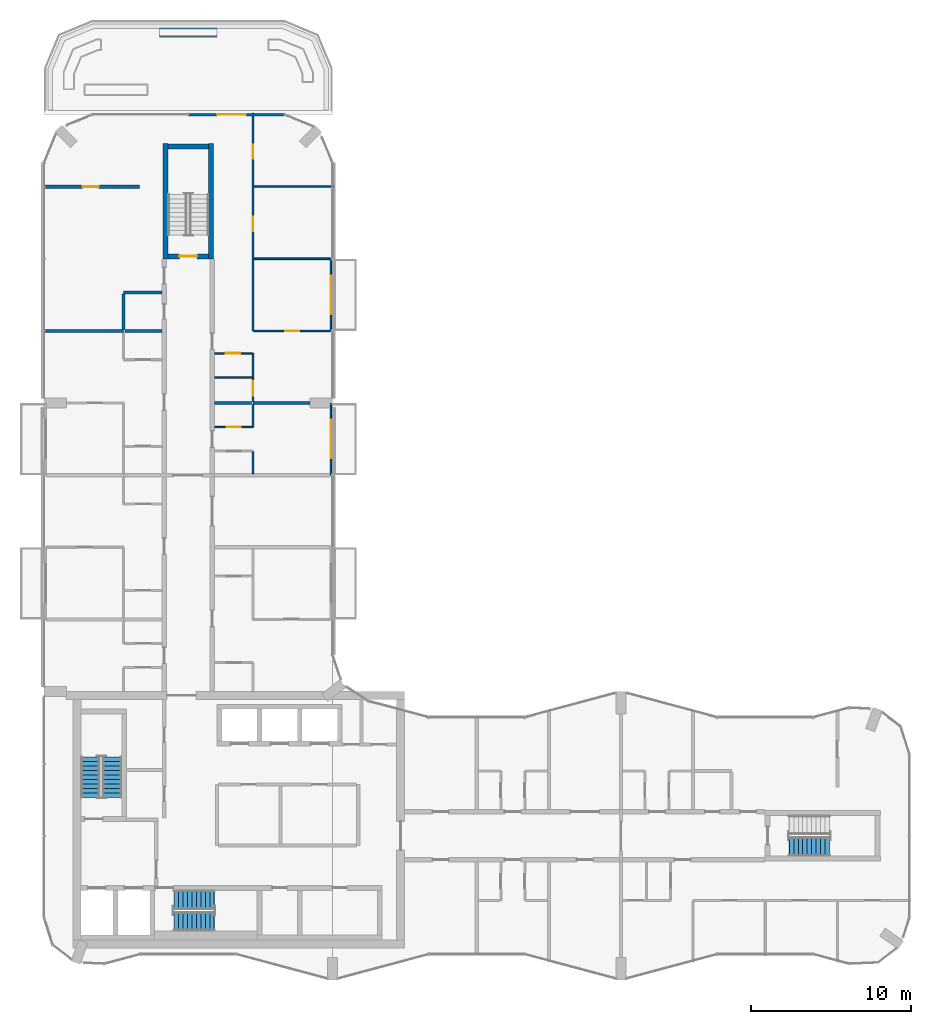
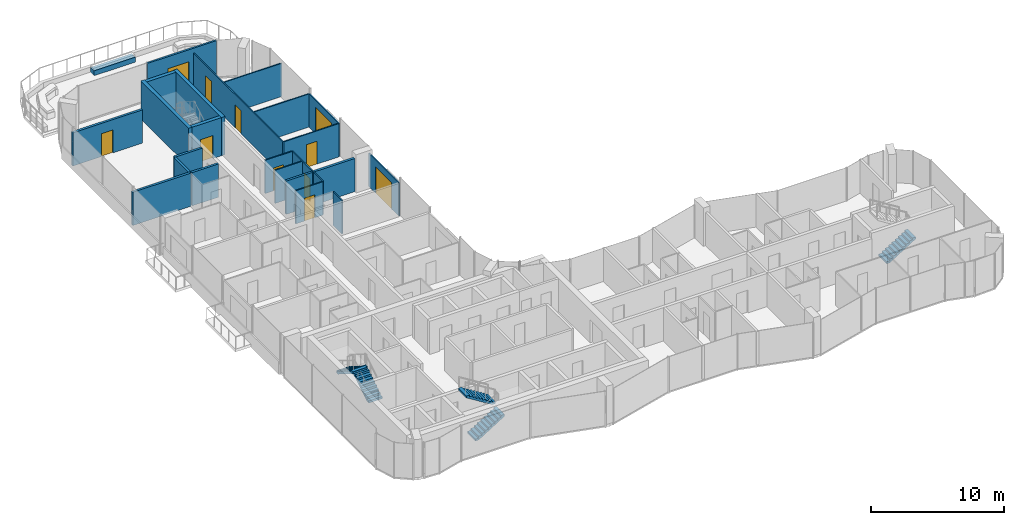
# One storey, part 13 of 17: 25 walls, 11 doors, 5 stair flights, 11 openings, 3 elements without a shape of their own.
"""IFC4 building model written with IfcOpenShell, lengths in metres."""

from ifc_helpers import new_model, si_unit, direction, frame, frame_2d, origin, place, context, subcontext, project, spatial, polyline, rectangle, outline, extrude, material, layer, layer_set, type_object, element, fill, aggregate, save


model = new_model("IFC4")

# Units and contexts
model_context = context("Model", 3, precision=1e-05, world=origin(), true_north=direction((0.0, 1.0)))
body_context = subcontext(model_context, "Body", "Model", "MODEL_VIEW")
ifc_project = project(units=[si_unit("LENGTHUNIT", "METRE"), si_unit("AREAUNIT", "SQUARE_METRE"), si_unit("VOLUMEUNIT", "CUBIC_METRE"), si_unit("PLANEANGLEUNIT", "RADIAN"), si_unit("MASSUNIT", "GRAM", prefix="KILO")], contexts=[model_context])

# Site, building, storey
site_placement = place(None, origin())
site = spatial("IfcSite", under=ifc_project, at=site_placement, CompositionType="ELEMENT")
building_placement = place(site_placement, origin())
building = spatial("IfcBuilding", under=site, at=building_placement, Name="Plateau Cross Towers", CompositionType="ELEMENT")
storey_placement = place(building_placement, frame((0.0, 0.0, 225.89990234375)))
storey = spatial("IfcBuildingStorey", under=building, at=storey_placement, Name="L59", CompositionType="ELEMENT", Elevation=225.89990234375)

# Wall, opening, door
ifc_material_1 = material(Name="Aluminium framed glazing", Category="aluminium")
ifc_layer_1 = layer(ifc_material_1, 0.10009765625)
ifc_layer_set_1 = layer_set([ifc_layer_1], Name="Aluminium framed glazing")
wall_type_1 = type_object("IfcWallType", Name="Balcony screen wall 100", PredefinedType="STANDARD", material=ifc_layer_set_1)
wall_1_placement = place(storey_placement, frame((17.89990234375, 36.0, 0.0), z_axis=(0.0, 0.0, 1.0), x_axis=(0.0, -1.0, 0.0)))
wall_1 = element("IfcWall", 1, at=wall_1_placement, inside=storey, type_object=wall_type_1, Name="Balcony screen wall A-BAL-L59-04", PredefinedType="STANDARD", context=body_context, shape_type="SweptSolid", body=[
    extrude(rectangle(XDim=4.5, YDim=0.10009765625, at=frame_2d((2.25, 0.0))), origin(), (0.0, 0.0, 1.0), 3.050048828125),
])
opening_1_placement = place(wall_1_placement, frame((1.050048828125, 0.0, 0.0)))
opening_1 = element("IfcOpeningElement", 2, at=opening_1_placement, cuts=wall_1, Name="Opening D-B24", PredefinedType="OPENING", context=body_context, shape_type="SweptSolid", body=[
    extrude(rectangle(XDim=2.39990234375, YDim=2.39990234375, at=frame_2d((1.199951171875, 1.199951171875))), frame((0.0, 0.06005859375, 0.0), z_axis=(0.0, -1.0, 0.0), x_axis=(1.0, 0.0, 0.0)), (0.0, 0.0, 1.0), 0.1201171875),
])
ifc_material_2 = material(Name="Aluminium frame, double glazing", Category="aluminium")
door_type_1 = type_object("IfcDoorType", Name="Balcony sliding door 2400", OperationType="NOTDEFINED", PredefinedType="DOOR", material=ifc_material_2)
door_1_placement = place(opening_1_placement, origin())
door_1 = element("IfcDoor", 3, at=door_1_placement, inside=storey, type_object=door_type_1, Name="Balcony door A-BAL-L59-04", OperationType="SINGLE_SWING_LEFT", OverallHeight=2.39990234375, OverallWidth=2.39990234375, PredefinedType="DOOR", context=body_context, shape_type="SweptSolid", body=[
    extrude(rectangle(XDim=2.39990234375, YDim=2.39990234375, at=frame_2d((1.199951171875, 1.199951171875))), frame((0.0, 0.02490234375, 0.0), z_axis=(0.0, -1.0, 0.0), x_axis=(1.0, 0.0, 0.0)), (0.0, 0.0, 1.0), 0.050048828125),
])
fill(opening_1, door_1)

wall_2_placement = place(storey_placement, frame((17.89990234375, 45.0, 0.0), z_axis=(0.0, 0.0, 1.0), x_axis=(0.0, -1.0, 0.0)))
wall_2 = element("IfcWall", 4, at=wall_2_placement, inside=storey, type_object=wall_type_1, Name="Balcony screen wall A-BAL-L59-05", PredefinedType="STANDARD", context=body_context, shape_type="SweptSolid", body=[
    extrude(rectangle(XDim=4.5, YDim=0.10009765625, at=frame_2d((2.25, 0.0))), origin(), (0.0, 0.0, 1.0), 3.050048828125),
])
opening_2_placement = place(wall_2_placement, frame((1.050048828125, 0.0, 0.0)))
opening_2 = element("IfcOpeningElement", 5, at=opening_2_placement, cuts=wall_2, Name="Opening D-B24", PredefinedType="OPENING", context=body_context, shape_type="SweptSolid", body=[
    extrude(rectangle(XDim=2.39990234375, YDim=2.39990234375, at=frame_2d((1.199951171875, 1.199951171875))), frame((0.0, 0.06005859375, 0.0), z_axis=(0.0, -1.0, 0.0), x_axis=(1.0, 0.0, 0.0)), (0.0, 0.0, 1.0), 0.1201171875),
])
door_2_placement = place(opening_2_placement, origin())
door_2 = element("IfcDoor", 6, at=door_2_placement, inside=storey, type_object=door_type_1, Name="Balcony door A-BAL-L59-05", OperationType="SINGLE_SWING_LEFT", OverallHeight=2.39990234375, OverallWidth=2.39990234375, PredefinedType="DOOR", context=body_context, shape_type="SweptSolid", body=[
    extrude(rectangle(XDim=2.39990234375, YDim=2.39990234375, at=frame_2d((1.199951171875, 1.199951171875))), frame((0.0, 0.02490234375, 0.0), z_axis=(0.0, -1.0, 0.0), x_axis=(1.0, 0.0, 0.0)), (0.0, 0.0, 1.0), 0.050048828125),
])
fill(opening_2, door_2)

ifc_layer_2 = layer(ifc_material_1, 0.159912109375)
ifc_layer_set_2 = layer_set([ifc_layer_2], Name="Aluminium framed glazing")
wall_type_2 = type_object("IfcWallType", Name="Entrance screen wall 160", PredefinedType="STANDARD", material=ifc_layer_set_2)
wall_3_placement = place(storey_placement, frame((9.0, 54.0, 0.0), z_axis=(0.0, 0.0, 1.0), x_axis=(1.0, 0.0, 0.0)))
wall_3 = element("IfcWall", 7, at=wall_3_placement, inside=storey, type_object=wall_type_2, Name="Deck A1 screen wall", PredefinedType="STANDARD", context=body_context, shape_type="SweptSolid", body=[
    extrude(rectangle(XDim=6.0, YDim=0.159912109375, at=frame_2d((3.0, 0.0))), origin(), (0.0, 0.0, 1.0), 3.5),
])
opening_3_placement = place(wall_3_placement, frame((1.800048828125, 0.0, 0.0)))
opening_3 = element("IfcOpeningElement", 8, at=opening_3_placement, cuts=wall_3, Name="Opening XD1", PredefinedType="OPENING", context=body_context, shape_type="SweptSolid", body=[
    extrude(rectangle(XDim=1.800048828125, YDim=2.39990234375, at=frame_2d((0.89990234375, 1.199951171875))), frame((0.0, 0.08984375, 0.0), z_axis=(0.0, -1.0, 0.0), x_axis=(1.0, 0.0, 0.0)), (0.0, 0.0, 1.0), 0.179931640625),
])
door_type_2 = type_object("IfcDoorType", Name="Terrace door double leaf 1800x2400", OperationType="DOUBLE_DOOR_SINGLE_SWING", PredefinedType="DOOR", material=ifc_material_1)
door_3_placement = place(opening_3_placement, origin())
door_3 = element("IfcDoor", 9, at=door_3_placement, inside=storey, type_object=door_type_2, Name="Deck A1 door", OperationType="SINGLE_SWING_LEFT", OverallHeight=2.39990234375, OverallWidth=1.800048828125, PredefinedType="DOOR", context=body_context, shape_type="SweptSolid", body=[
    extrude(rectangle(XDim=1.800048828125, YDim=2.39990234375, at=frame_2d((0.89990234375, 1.199951171875))), frame((0.0, 0.02490234375, 0.0), z_axis=(0.0, -1.0, 0.0), x_axis=(1.0, 0.0, 0.0)), (0.0, 0.0, 1.0), 0.050048828125),
])
fill(opening_3, door_3)

ifc_material_3 = material(Name="Gypsum board on steel studs", Category="steel")
ifc_layer_3 = layer(ifc_material_3, 0.10009765625)
ifc_layer_set_3 = layer_set([ifc_layer_3], Name="Gypsum board on steel studs")
wall_type_3 = type_object("IfcWallType", Name="Flat partition 100", PredefinedType="PARTITIONING", material=ifc_layer_set_3)
wall_4_placement = place(storey_placement, frame((10.637451171875, 34.5, 0.0), z_axis=(0.0, 0.0, 1.0), x_axis=(1.0, 0.0, 0.0)))
wall_4 = element("IfcWall", 10, at=wall_4_placement, inside=storey, type_object=wall_type_3, Name="Partition wall", PredefinedType="PARTITIONING", context=body_context, shape_type="SweptSolid", body=[
    extrude(rectangle(XDim=2.35009765625, YDim=0.10009765625, at=frame_2d((1.175048828125, 0.0))), origin(), (0.0, 0.0, 1.0), 3.050048828125),
])
opening_4_placement = place(wall_4_placement, frame((0.75, 0.0, 0.0)))
opening_4 = element("IfcOpeningElement", 11, at=opening_4_placement, cuts=wall_4, Name="Opening 59-47", PredefinedType="OPENING", context=body_context, shape_type="SweptSolid", body=[
    extrude(rectangle(XDim=0.89990234375, YDim=2.10009765625, at=frame_2d((0.449951171875, 1.050048828125))), frame((0.0, 0.06005859375, 0.0), z_axis=(0.0, -1.0, 0.0), x_axis=(1.0, 0.0, 0.0)), (0.0, 0.0, 1.0), 0.1201171875),
])
ifc_material_4 = material(Name="Timber leaf", Category="wood")
door_type_3 = type_object("IfcDoorType", Name="Flat room door 900", OperationType="NOTDEFINED", PredefinedType="DOOR", material=ifc_material_4)
door_4_placement = place(opening_4_placement, origin())
door_4 = element("IfcDoor", 12, at=door_4_placement, inside=storey, type_object=door_type_3, Name="Door 59-47", OperationType="SINGLE_SWING_RIGHT", OverallHeight=2.10009765625, OverallWidth=0.89990234375, PredefinedType="DOOR", context=body_context, shape_type="SweptSolid", body=[
    extrude(rectangle(XDim=0.89990234375, YDim=2.10009765625, at=frame_2d((0.449951171875, 1.050048828125))), frame((0.0, 0.02490234375, 0.0), z_axis=(0.0, -1.0, 0.0), x_axis=(1.0, 0.0, 0.0)), (0.0, 0.0, 1.0), 0.050048828125),
])
fill(opening_4, door_4)

# Wall
wall_5_placement = place(storey_placement, frame((12.987548828125, 37.60009765625, 0.0), z_axis=(0.0, 0.0, 1.0), x_axis=(-1.0, 0.0, 0.0)))
element("IfcWall", 13, at=wall_5_placement, inside=storey, type_object=wall_type_3, Name="Partition wall", PredefinedType="PARTITIONING", context=body_context, shape_type="SweptSolid", body=[
    extrude(rectangle(XDim=2.35009765625, YDim=0.10009765625, at=frame_2d((1.175048828125, 0.0))), origin(), (0.0, 0.0, 1.0), 3.050048828125),
])

# Wall, opening, door
wall_6_placement = place(storey_placement, frame((12.987548828125, 39.10009765625, 0.0), z_axis=(0.0, 0.0, 1.0), x_axis=(-1.0, 0.0, 0.0)))
wall_6 = element("IfcWall", 14, at=wall_6_placement, inside=storey, type_object=wall_type_3, Name="Partition wall", PredefinedType="PARTITIONING", context=body_context, shape_type="SweptSolid", body=[
    extrude(rectangle(XDim=2.35009765625, YDim=0.10009765625, at=frame_2d((1.175048828125, 0.0))), origin(), (0.0, 0.0, 1.0), 3.050048828125),
])
opening_5_placement = place(wall_6_placement, frame((0.75, 0.0, 0.0)))
opening_5 = element("IfcOpeningElement", 15, at=opening_5_placement, cuts=wall_6, Name="Opening 59-49", PredefinedType="OPENING", context=body_context, shape_type="SweptSolid", body=[
    extrude(rectangle(XDim=0.89990234375, YDim=2.10009765625, at=frame_2d((0.449951171875, 1.050048828125))), frame((0.0, 0.06005859375, 0.0), z_axis=(0.0, -1.0, 0.0), x_axis=(1.0, 0.0, 0.0)), (0.0, 0.0, 1.0), 0.1201171875),
])
door_5_placement = place(opening_5_placement, origin())
door_5 = element("IfcDoor", 16, at=door_5_placement, inside=storey, type_object=door_type_3, Name="Door 59-49", OperationType="SINGLE_SWING_RIGHT", OverallHeight=2.10009765625, OverallWidth=0.89990234375, PredefinedType="DOOR", context=body_context, shape_type="SweptSolid", body=[
    extrude(rectangle(XDim=0.89990234375, YDim=2.10009765625, at=frame_2d((0.449951171875, 1.050048828125))), frame((0.0, 0.02490234375, 0.0), z_axis=(0.0, -1.0, 0.0), x_axis=(1.0, 0.0, 0.0)), (0.0, 0.0, 1.0), 0.050048828125),
])
fill(opening_5, door_5)

wall_7_placement = place(storey_placement, frame((13.08740234375, 40.5, 0.0), z_axis=(0.0, 0.0, 1.0), x_axis=(1.0, 0.0, 0.0)))
wall_7 = element("IfcWall", 17, at=wall_7_placement, inside=storey, type_object=wall_type_3, Name="Partition wall", PredefinedType="PARTITIONING", context=body_context, shape_type="SweptSolid", body=[
    extrude(rectangle(XDim=4.7626953125, YDim=0.10009765625, at=frame_2d((2.38134765625, 0.0))), origin(), (0.0, 0.0, 1.0), 3.050048828125),
])
opening_6_placement = place(wall_7_placement, frame((1.949951171875, 0.0, 0.0)))
opening_6 = element("IfcOpeningElement", 18, at=opening_6_placement, cuts=wall_7, Name="Opening 59-50", PredefinedType="OPENING", context=body_context, shape_type="SweptSolid", body=[
    extrude(rectangle(XDim=0.89990234375, YDim=2.10009765625, at=frame_2d((0.449951171875, 1.050048828125))), frame((0.0, 0.06005859375, 0.0), z_axis=(0.0, -1.0, 0.0), x_axis=(1.0, 0.0, 0.0)), (0.0, 0.0, 1.0), 0.1201171875),
])
door_6_placement = place(opening_6_placement, origin())
door_6 = element("IfcDoor", 19, at=door_6_placement, inside=storey, type_object=door_type_3, Name="Door 59-50", OperationType="SINGLE_SWING_RIGHT", OverallHeight=2.10009765625, OverallWidth=0.89990234375, PredefinedType="DOOR", context=body_context, shape_type="SweptSolid", body=[
    extrude(rectangle(XDim=0.89990234375, YDim=2.10009765625, at=frame_2d((0.449951171875, 1.050048828125))), frame((0.0, 0.02490234375, 0.0), z_axis=(0.0, -1.0, 0.0), x_axis=(1.0, 0.0, 0.0)), (0.0, 0.0, 1.0), 0.050048828125),
])
fill(opening_6, door_6)

# Walls
wall_8_placement = place(storey_placement, frame((17.85009765625, 45.0, 0.0), z_axis=(0.0, 0.0, 1.0), x_axis=(-1.0, 0.0, 0.0)))
element("IfcWall", 20, at=wall_8_placement, inside=storey, type_object=wall_type_3, Name="Partition wall", PredefinedType="PARTITIONING", context=body_context, shape_type="SweptSolid", body=[
    extrude(rectangle(XDim=4.7626953125, YDim=0.10009765625, at=frame_2d((2.38134765625, 0.0))), origin(), (0.0, 0.0, 1.0), 3.050048828125),
])
wall_9_placement = place(storey_placement, frame((18.080078125, 49.5, 0.0), z_axis=(0.0, 0.0, 1.0), x_axis=(-1.0, 0.0, 0.0)))
element("IfcWall", 21, at=wall_9_placement, inside=storey, type_object=wall_type_3, Name="Partition wall", PredefinedType="PARTITIONING", context=body_context, shape_type="SweptSolid", body=[
    extrude(rectangle(XDim=4.99267578125, YDim=0.10009765625, at=frame_2d((2.496337890625, 0.0))), origin(), (0.0, 0.0, 1.0), 3.050048828125),
])

# Wall, openings, doors
wall_10_placement = place(storey_placement, frame((13.03759765625, 54.080078125, 0.0), z_axis=(0.0, 0.0, 1.0), x_axis=(0.0, -1.0, 0.0)))
wall_10 = element("IfcWall", 22, at=wall_10_placement, inside=storey, type_object=wall_type_3, Name="Partition wall", PredefinedType="PARTITIONING", context=body_context, shape_type="SweptSolid", body=[
    extrude(rectangle(XDim=13.580078125, YDim=0.10009765625, at=frame_2d((6.7900390625, 0.0))), origin(), (0.0, 0.0, 1.0), 3.050048828125),
])
opening_7_placement = place(wall_10_placement, frame((6.449951171875, 0.0, 0.0)))
opening_7 = element("IfcOpeningElement", 23, at=opening_7_placement, cuts=wall_10, Name="Opening 59-51", PredefinedType="OPENING", context=body_context, shape_type="SweptSolid", body=[
    extrude(rectangle(XDim=0.89990234375, YDim=2.10009765625, at=frame_2d((0.449951171875, 1.050048828125))), frame((0.0, 0.06005859375, 0.0), z_axis=(0.0, -1.0, 0.0), x_axis=(1.0, 0.0, 0.0)), (0.0, 0.0, 1.0), 0.1201171875),
])
opening_8_placement = place(wall_10_placement, frame((1.949951171875, 0.0, 0.0)))
opening_8 = element("IfcOpeningElement", 24, at=opening_8_placement, cuts=wall_10, Name="Opening 59-52", PredefinedType="OPENING", context=body_context, shape_type="SweptSolid", body=[
    extrude(rectangle(XDim=0.89990234375, YDim=2.10009765625, at=frame_2d((0.449951171875, 1.050048828125))), frame((0.0, 0.06005859375, 0.0), z_axis=(0.0, -1.0, 0.0), x_axis=(1.0, 0.0, 0.0)), (0.0, 0.0, 1.0), 0.1201171875),
])
door_7_placement = place(opening_7_placement, origin())
door_7 = element("IfcDoor", 25, at=door_7_placement, inside=storey, type_object=door_type_3, Name="Door 59-51", OperationType="SINGLE_SWING_RIGHT", OverallHeight=2.10009765625, OverallWidth=0.89990234375, PredefinedType="DOOR", context=body_context, shape_type="SweptSolid", body=[
    extrude(rectangle(XDim=0.89990234375, YDim=2.10009765625, at=frame_2d((0.449951171875, 1.050048828125))), frame((0.0, 0.02490234375, 0.0), z_axis=(0.0, -1.0, 0.0), x_axis=(1.0, 0.0, 0.0)), (0.0, 0.0, 1.0), 0.050048828125),
])
fill(opening_7, door_7)
door_8_placement = place(opening_8_placement, origin())
door_8 = element("IfcDoor", 26, at=door_8_placement, inside=storey, type_object=door_type_3, Name="Door 59-52", OperationType="SINGLE_SWING_LEFT", OverallHeight=2.10009765625, OverallWidth=0.89990234375, PredefinedType="DOOR", context=body_context, shape_type="SweptSolid", body=[
    extrude(rectangle(XDim=0.89990234375, YDim=2.10009765625, at=frame_2d((0.449951171875, 1.050048828125))), frame((0.0, 0.02490234375, 0.0), z_axis=(0.0, -1.0, 0.0), x_axis=(1.0, 0.0, 0.0)), (0.0, 0.0, 1.0), 0.050048828125),
])
fill(opening_8, door_8)

# Walls
wall_11_placement = place(storey_placement, frame((13.03759765625, 31.60009765625, 0.0), z_axis=(0.0, 0.0, 1.0), x_axis=(0.0, 1.0, 0.0)))
element("IfcWall", 27, at=wall_11_placement, inside=storey, type_object=wall_type_3, Name="Partition wall", PredefinedType="PARTITIONING", context=body_context, shape_type="SweptSolid", body=[
    extrude(rectangle(XDim=1.349853515625, YDim=0.10009765625, at=frame_2d((0.6748046875, 0.0))), origin(), (0.0, 0.0, 1.0), 3.050048828125),
])
wall_12_placement = place(storey_placement, frame((13.03759765625, 34.5, 0.0), z_axis=(0.0, 0.0, 1.0), x_axis=(0.0, 1.0, 0.0)))
element("IfcWall", 28, at=wall_12_placement, inside=storey, type_object=wall_type_3, Name="Partition wall", PredefinedType="PARTITIONING", context=body_context, shape_type="SweptSolid", body=[
    extrude(rectangle(XDim=1.39990234375, YDim=0.10009765625, at=frame_2d((0.699951171875, 0.0))), origin(), (0.0, 0.0, 1.0), 3.050048828125),
])

# Wall, opening, door
wall_13_placement = place(storey_placement, frame((13.03759765625, 36.10009765625, 0.0), z_axis=(0.0, 0.0, 1.0), x_axis=(0.0, 1.0, 0.0)))
wall_13 = element("IfcWall", 29, at=wall_13_placement, inside=storey, type_object=wall_type_3, Name="Partition wall", PredefinedType="PARTITIONING", context=body_context, shape_type="SweptSolid", body=[
    extrude(rectangle(XDim=3.0, YDim=0.10009765625, at=frame_2d((1.5, 0.0))), origin(), (0.0, 0.0, 1.0), 3.050048828125),
])
opening_9_placement = place(wall_13_placement, frame((0.35009765625, 0.0, 0.0)))
opening_9 = element("IfcOpeningElement", 30, at=opening_9_placement, cuts=wall_13, Name="Opening 59-48", PredefinedType="OPENING", context=body_context, shape_type="SweptSolid", body=[
    extrude(rectangle(XDim=0.89990234375, YDim=2.10009765625, at=frame_2d((0.449951171875, 1.050048828125))), frame((0.0, 0.06005859375, 0.0), z_axis=(0.0, -1.0, 0.0), x_axis=(1.0, 0.0, 0.0)), (0.0, 0.0, 1.0), 0.1201171875),
])
door_9_placement = place(opening_9_placement, origin())
door_9 = element("IfcDoor", 31, at=door_9_placement, inside=storey, type_object=door_type_3, Name="Door 59-48", OperationType="SINGLE_SWING_LEFT", OverallHeight=2.10009765625, OverallWidth=0.89990234375, PredefinedType="DOOR", context=body_context, shape_type="SweptSolid", body=[
    extrude(rectangle(XDim=0.89990234375, YDim=2.10009765625, at=frame_2d((0.449951171875, 1.050048828125))), frame((0.0, 0.02490234375, 0.0), z_axis=(0.0, -1.0, 0.0), x_axis=(1.0, 0.0, 0.0)), (0.0, 0.0, 1.0), 0.050048828125),
])
fill(opening_9, door_9)

# Walls
ifc_material_5 = material(Name="Gypsum board on steel studs, two layers each side", Category="steel")
ifc_layer_4 = layer(ifc_material_5, 0.199951171875)
ifc_layer_set_4 = layer_set([ifc_layer_4], Name="Gypsum board on steel studs, two layers each side")
wall_type_4 = type_object("IfcWallType", Name="Flat party wall 200", PredefinedType="PARTITIONING", material=ifc_layer_set_4)
wall_14_placement = place(storey_placement, frame((12.9375, 36.0, 0.0), z_axis=(0.0, 0.0, 1.0), x_axis=(-1.0, 0.0, 0.0)))
element("IfcWall", 32, at=wall_14_placement, inside=storey, type_object=wall_type_4, Name="Party wall", PredefinedType="PARTITIONING", context=body_context, shape_type="SweptSolid", body=[
    extrude(rectangle(XDim=2.300048828125, YDim=0.199951171875, at=frame_2d((1.14990234375, 0.0))), origin(), (0.0, 0.0, 1.0), 3.050048828125),
])
wall_15_placement = place(storey_placement, frame((13.03759765625, 36.0, 0.0), z_axis=(0.0, 0.0, 1.0), x_axis=(1.0, 0.0, 0.0)))
element("IfcWall", 33, at=wall_15_placement, inside=storey, type_object=wall_type_4, Name="Party wall", PredefinedType="PARTITIONING", context=body_context, shape_type="SweptSolid", body=[
    extrude(rectangle(XDim=3.5625, YDim=0.199951171875, at=frame_2d((1.78125, 0.0))), origin(), (0.0, 0.0, 1.0), 3.050048828125),
])
wall_16_placement = place(storey_placement, frame((7.362548828125, 40.5, 0.0), z_axis=(0.0, 0.0, 1.0), x_axis=(-1.0, 0.0, 0.0)))
element("IfcWall", 34, at=wall_16_placement, inside=storey, type_object=wall_type_4, Name="Party wall", PredefinedType="PARTITIONING", context=body_context, shape_type="SweptSolid", body=[
    extrude(rectangle(XDim=2.300048828125, YDim=0.199951171875, at=frame_2d((1.14990234375, 0.0))), origin(), (0.0, 0.0, 1.0), 3.050048828125),
])
wall_17_placement = place(storey_placement, frame((-0.080078125, 40.5, 0.0), z_axis=(0.0, 0.0, 1.0), x_axis=(1.0, 0.0, 0.0)))
element("IfcWall", 35, at=wall_17_placement, inside=storey, type_object=wall_type_4, Name="Party wall", PredefinedType="PARTITIONING", context=body_context, shape_type="SweptSolid", body=[
    extrude(rectangle(XDim=5.04248046875, YDim=0.199951171875, at=frame_2d((2.521240234375, 0.0))), origin(), (0.0, 0.0, 1.0), 3.050048828125),
])
wall_18_placement = place(storey_placement, frame((7.362548828125, 42.89990234375, 0.0), z_axis=(0.0, 0.0, 1.0), x_axis=(-1.0, 0.0, 0.0)))
element("IfcWall", 36, at=wall_18_placement, inside=storey, type_object=wall_type_4, Name="Party wall", PredefinedType="PARTITIONING", context=body_context, shape_type="SweptSolid", body=[
    extrude(rectangle(XDim=2.400146484375, YDim=0.199951171875, at=frame_2d((1.2001953125, 0.0))), origin(), (0.0, 0.0, 1.0), 3.050048828125),
])

# Wall, opening, door
wall_19_placement = place(storey_placement, frame((5.949951171875, 49.5, 0.0), z_axis=(0.0, 0.0, 1.0), x_axis=(-1.0, 0.0, 0.0)))
wall_19 = element("IfcWall", 37, at=wall_19_placement, inside=storey, type_object=wall_type_4, Name="Party wall", PredefinedType="PARTITIONING", context=body_context, shape_type="SweptSolid", body=[
    extrude(rectangle(XDim=6.030029296875, YDim=0.199951171875, at=frame_2d((3.01513671875, 0.0))), origin(), (0.0, 0.0, 1.0), 3.050048828125),
])
opening_10_placement = place(wall_19_placement, frame((2.550048828125, 0.0, 0.0)))
opening_10 = element("IfcOpeningElement", 38, at=opening_10_placement, cuts=wall_19, Name="Opening 59-23", PredefinedType="OPENING", context=body_context, shape_type="SweptSolid", body=[
    extrude(rectangle(XDim=1.0, YDim=2.10009765625, at=frame_2d((0.5, 1.050048828125))), frame((0.0, 0.10986328125, 0.0), z_axis=(0.0, -1.0, 0.0), x_axis=(1.0, 0.0, 0.0)), (0.0, 0.0, 1.0), 0.219970703125),
])
ifc_material_6 = material(Name="Timber, fire-resisting leaf", Category="wood")
door_type_4 = type_object("IfcDoorType", Name="Flat entrance door 1000", OperationType="NOTDEFINED", PredefinedType="DOOR", material=ifc_material_6)
door_10_placement = place(opening_10_placement, origin())
door_10 = element("IfcDoor", 39, at=door_10_placement, inside=storey, type_object=door_type_4, Name="Door 59-23", OperationType="SINGLE_SWING_RIGHT", OverallHeight=2.10009765625, OverallWidth=1.0, PredefinedType="DOOR", context=body_context, shape_type="SweptSolid", body=[
    extrude(rectangle(XDim=1.0, YDim=2.10009765625, at=frame_2d((0.5, 1.050048828125))), frame((0.0, 0.02490234375, 0.0), z_axis=(0.0, -1.0, 0.0), x_axis=(1.0, 0.0, 0.0)), (0.0, 0.0, 1.0), 0.050048828125),
])
fill(opening_10, door_10)

# Walls
wall_20_placement = place(storey_placement, frame((4.96240234375, 42.800048828125, 0.0), z_axis=(0.0, 0.0, 1.0), x_axis=(0.0, -1.0, 0.0)))
element("IfcWall", 40, at=wall_20_placement, inside=storey, type_object=wall_type_4, Name="Party wall", PredefinedType="PARTITIONING", context=body_context, shape_type="SweptSolid", body=[
    extrude(rectangle(XDim=2.199951171875, YDim=0.199951171875, at=frame_2d((1.10009765625, 0.0))), origin(), (0.0, 0.0, 1.0), 3.050048828125),
])
ifc_material_7 = material(Name="Concrete C30/37", Category="concrete")
ifc_layer_5 = layer(ifc_material_7, 0.550048828125)
ifc_layer_set_5 = layer_set([ifc_layer_5], Name="Concrete C30/37")
wall_type_5 = type_object("IfcWallType", Name="Planter upstand 550", PredefinedType="STANDARD", material=ifc_layer_set_5)
wall_21_placement = place(storey_placement, frame((7.20458984375, 59.135009765625, 0.0), z_axis=(0.0, 0.0, 1.0), x_axis=(1.0, 0.0, 0.0)))
element("IfcWall", 41, at=wall_21_placement, inside=storey, type_object=wall_type_5, Name="Planter 1", PredefinedType="STANDARD", context=body_context, shape_type="SweptSolid", body=[
    extrude(rectangle(XDim=3.5908203125, YDim=0.550048828125, at=frame_2d((1.79541015625, 0.0))), origin(), (0.0, 0.0, 1.0), 0.4501953125),
])

# Wall, opening, door
ifc_material_8 = material(Name="Concrete C60/75", Category="concrete")
ifc_layer_6 = layer(ifc_material_8, 0.300048828125)
ifc_layer_set_6 = layer_set([ifc_layer_6], Name="Concrete C60/75")
wall_type_6 = type_object("IfcWallType", Name="Stair tower wall 300", PredefinedType="SHEAR", material=ifc_layer_set_6)
wall_22_placement = place(storey_placement, frame((7.72509765625, 45.14990234375, 0.0), z_axis=(0.0, 0.0, 1.0), x_axis=(1.0, 0.0, 0.0)))
wall_22 = element("IfcWall", 42, at=wall_22_placement, inside=storey, type_object=wall_type_6, Name="A-end-N-S@L59", PredefinedType="SHEAR", context=body_context, shape_type="SweptSolid", body=[
    extrude(rectangle(XDim=2.5498046875, YDim=0.300048828125, at=frame_2d((1.27490234375, 0.0))), origin(), (0.0, 0.0, 1.0), 3.5),
])
opening_11_placement = place(wall_22_placement, frame((0.72509765625, 0.0, 0.0)))
opening_11 = element("IfcOpeningElement", 43, at=opening_11_placement, cuts=wall_22, Name="Opening SD", PredefinedType="OPENING", context=body_context, shape_type="SweptSolid", body=[
    extrude(rectangle(XDim=1.10009765625, YDim=2.10009765625, at=frame_2d((0.550048828125, 1.050048828125))), frame((0.0, 0.159912109375, 0.0), z_axis=(0.0, -1.0, 0.0), x_axis=(1.0, 0.0, 0.0)), (0.0, 0.0, 1.0), 0.320068359375),
])
ifc_material_9 = material(Name="Steel, fire-resisting leaf", Category="steel")
door_type_5 = type_object("IfcDoorType", Name="Stair door 1100", OperationType="NOTDEFINED", PredefinedType="DOOR", material=ifc_material_9)
door_11_placement = place(opening_11_placement, origin())
door_11 = element("IfcDoor", 44, at=door_11_placement, inside=storey, type_object=door_type_5, Name="Stair door SD", OperationType="SINGLE_SWING_LEFT", OverallHeight=2.10009765625, OverallWidth=1.10009765625, PredefinedType="DOOR", context=body_context, shape_type="SweptSolid", body=[
    extrude(rectangle(XDim=1.10009765625, YDim=2.10009765625, at=frame_2d((0.550048828125, 1.050048828125))), frame((0.0, 0.02490234375, 0.0), z_axis=(0.0, -1.0, 0.0), x_axis=(1.0, 0.0, 0.0)), (0.0, 0.0, 1.0), 0.050048828125),
])
fill(opening_11, door_11)

# Walls
wall_23_placement = place(storey_placement, frame((7.72509765625, 52.0, 0.0), z_axis=(0.0, 0.0, 1.0), x_axis=(1.0, 0.0, 0.0)))
element("IfcWall", 45, at=wall_23_placement, inside=storey, type_object=wall_type_6, Name="A-end-N-N@L59", PredefinedType="SHEAR", context=body_context, shape_type="SweptSolid", body=[
    extrude(rectangle(XDim=2.5498046875, YDim=0.300048828125, at=frame_2d((1.27490234375, 0.0))), origin(), (0.0, 0.0, 1.0), 3.5),
])
for number, where, z_axis, x_axis, name in (
    (46, (7.574951171875, 45.0, 0.0), (0.0, 0.0, 1.0), (0.0, 1.0, 0.0), "A-end-N-W@L59"),
    (47, (10.425048828125, 45.0, 0.0), (0.0, 0.0, 1.0), (0.0, 1.0, 0.0), "A-end-N-E@L59"),
):
    element("IfcWall", number, at=place(storey_placement, frame(where, z_axis=z_axis, x_axis=x_axis)), inside=storey, type_object=wall_type_6, Name=name, PredefinedType="SHEAR", context=body_context, shape_type="SweptSolid", body=[
        extrude(rectangle(XDim=7.199951171875, YDim=0.300048828125, at=frame_2d((3.60009765625, 0.0))), origin(), (0.0, 0.0, 1.0), 3.5),
    ])

# Stair, stair flights
ifc_material_10 = material(Name="Concrete C40/50", Category="concrete")
stair_type = type_object("IfcStairType", Name="ST-TWR", PredefinedType="HALF_TURN_STAIR", material=ifc_material_10)
stair_1_placement = place(storey_placement, origin())
stair_1 = element("IfcStair", 48, at=stair_1_placement, inside=storey, type_object=stair_type, Name="L59 Protected Exit Stair ST-1", PredefinedType="HALF_TURN_STAIR")
stair_flight_type = type_object("IfcStairFlightType", Name="SFL-RC", PredefinedType="STRAIGHT", material=ifc_material_10)
stair_flight_1_placement = place(storey_placement, frame((4.25, 11.39990234375, 0.0), z_axis=(0.0, 0.0, 1.0), x_axis=(0.0, 1.0, 0.0)))
stair_flight_1 = element("IfcStairFlight", 49, at=stair_flight_1_placement, type_object=stair_flight_type, Name="ST-1 flight 1", NumberOfRisers=10, NumberOfTreads=9, PredefinedType="STRAIGHT", RiserHeight=0.175, TreadLength=0.28, context=body_context, shape_type="SweptSolid", body=[
    extrude(outline(polyline([(-0.0048828125, -0.010009765625), (-0.0048828125, 0.0), (0.0, 0.0), (0.0, 0.175048828125), (0.280029296875, 0.175048828125), (0.280029296875, 0.35009765625), (0.56005859375, 0.35009765625), (0.56005859375, 0.52490234375), (0.840087890625, 0.52490234375), (0.840087890625, 0.699951171875), (1.1201171875, 0.699951171875), (1.1201171875, 0.875), (1.39990234375, 0.875), (1.39990234375, 1.050048828125), (1.679931640625, 1.050048828125), (1.679931640625, 1.22509765625), (1.9599609375, 1.22509765625), (1.9599609375, 1.39990234375), (2.239990234375, 1.39990234375), (2.239990234375, 1.574951171875), (2.52001953125, 1.574951171875), (2.52490234375, 1.56494140625), (2.52490234375, 1.398193359375), (2.52001953125, 1.398193359375), (0.28271484375, 0.0), (0.02001953125, 0.0), (0.02001953125, -0.010009765625), (-0.0048828125, -0.010009765625)])), frame((0.0, 0.60009765625, 0.0), z_axis=(0.0, -1.0, 0.0), x_axis=(1.0, 0.0, 0.0)), (0.0, 0.0, 1.0), 1.199951171875),
])
stair_flight_2_placement = place(storey_placement, frame((2.89990234375, 13.919921875, 1.75), z_axis=(0.0, 0.0, 1.0), x_axis=(0.0, -1.0, 0.0)))
stair_flight_2 = element("IfcStairFlight", 50, at=stair_flight_2_placement, type_object=stair_flight_type, Name="ST-1 flight 2", NumberOfRisers=10, NumberOfTreads=9, PredefinedType="STRAIGHT", RiserHeight=0.175, TreadLength=0.28, context=body_context, shape_type="SweptSolid", body=[
    extrude(outline(polyline([(-0.0048828125, -0.010009765625), (-0.0048828125, 0.0), (0.0, 0.0), (0.0, 0.175048828125), (0.280029296875, 0.175048828125), (0.280029296875, 0.35009765625), (0.56005859375, 0.35009765625), (0.56005859375, 0.52490234375), (0.840087890625, 0.52490234375), (0.840087890625, 0.699951171875), (1.1201171875, 0.699951171875), (1.1201171875, 0.875), (1.39990234375, 0.875), (1.39990234375, 1.050048828125), (1.679931640625, 1.050048828125), (1.679931640625, 1.22509765625), (1.9599609375, 1.22509765625), (1.9599609375, 1.39990234375), (2.239990234375, 1.39990234375), (2.239990234375, 1.574951171875), (2.52001953125, 1.574951171875), (2.52490234375, 1.56494140625), (2.52490234375, 1.398193359375), (2.52001953125, 1.398193359375), (0.28271484375, 0.0), (0.02001953125, 0.0), (0.02001953125, -0.010009765625), (-0.0048828125, -0.010009765625)])), frame((0.0, 0.60009765625, 0.0), z_axis=(0.0, -1.0, 0.0), x_axis=(1.0, 0.0, 0.0)), (0.0, 0.0, 1.0), 1.199951171875),
])
aggregate(stair_1, [stair_flight_1, stair_flight_2])

stair_2_placement = place(storey_placement, origin())
stair_2 = element("IfcStair", 51, at=stair_2_placement, inside=storey, type_object=stair_type, Name="L59 Protected Exit Stair ST-2", PredefinedType="HALF_TURN_STAIR")
stair_flight_3_placement = place(storey_placement, frame((8.10009765625, 3.64990234375, 0.0), z_axis=(0.0, 0.0, 1.0), x_axis=(1.0, 0.0, 0.0)))
stair_flight_3 = element("IfcStairFlight", 52, at=stair_flight_3_placement, type_object=stair_flight_type, Name="ST-2 flight 1", NumberOfRisers=10, NumberOfTreads=9, PredefinedType="STRAIGHT", RiserHeight=0.175, TreadLength=0.28, context=body_context, shape_type="SweptSolid", body=[
    extrude(outline(polyline([(-0.0048828125, -0.010009765625), (-0.0048828125, 0.0), (0.0, 0.0), (0.0, 0.175048828125), (0.280029296875, 0.175048828125), (0.280029296875, 0.35009765625), (0.56005859375, 0.35009765625), (0.56005859375, 0.52490234375), (0.840087890625, 0.52490234375), (0.840087890625, 0.699951171875), (1.1201171875, 0.699951171875), (1.1201171875, 0.875), (1.39990234375, 0.875), (1.39990234375, 1.050048828125), (1.679931640625, 1.050048828125), (1.679931640625, 1.22509765625), (1.9599609375, 1.22509765625), (1.9599609375, 1.39990234375), (2.239990234375, 1.39990234375), (2.239990234375, 1.574951171875), (2.52001953125, 1.574951171875), (2.52490234375, 1.56494140625), (2.52490234375, 1.398193359375), (2.52001953125, 1.398193359375), (0.28271484375, 0.0), (0.02001953125, 0.0), (0.02001953125, -0.010009765625), (-0.0048828125, -0.010009765625)])), frame((0.0, 0.60009765625, 0.0), z_axis=(0.0, -1.0, 0.0), x_axis=(1.0, 0.0, 0.0)), (0.0, 0.0, 1.0), 1.199951171875),
])
stair_flight_4_placement = place(storey_placement, frame((10.6201171875, 5.0, 1.75), z_axis=(0.0, 0.0, 1.0), x_axis=(-1.0, 0.0, 0.0)))
stair_flight_4 = element("IfcStairFlight", 53, at=stair_flight_4_placement, type_object=stair_flight_type, Name="ST-2 flight 2", NumberOfRisers=10, NumberOfTreads=9, PredefinedType="STRAIGHT", RiserHeight=0.175, TreadLength=0.28, context=body_context, shape_type="SweptSolid", body=[
    extrude(outline(polyline([(-0.0048828125, -0.010009765625), (-0.0048828125, 0.0), (0.0, 0.0), (0.0, 0.175048828125), (0.280029296875, 0.175048828125), (0.280029296875, 0.35009765625), (0.56005859375, 0.35009765625), (0.56005859375, 0.52490234375), (0.840087890625, 0.52490234375), (0.840087890625, 0.699951171875), (1.1201171875, 0.699951171875), (1.1201171875, 0.875), (1.39990234375, 0.875), (1.39990234375, 1.050048828125), (1.679931640625, 1.050048828125), (1.679931640625, 1.22509765625), (1.9599609375, 1.22509765625), (1.9599609375, 1.39990234375), (2.239990234375, 1.39990234375), (2.239990234375, 1.574951171875), (2.52001953125, 1.574951171875), (2.52490234375, 1.56494140625), (2.52490234375, 1.398193359375), (2.52001953125, 1.398193359375), (0.28271484375, 0.0), (0.02001953125, 0.0), (0.02001953125, -0.010009765625), (-0.0048828125, -0.010009765625)])), frame((0.0, 0.60009765625, 0.0), z_axis=(0.0, -1.0, 0.0), x_axis=(1.0, 0.0, 0.0)), (0.0, 0.0, 1.0), 1.199951171875),
])
aggregate(stair_2, [stair_flight_3, stair_flight_4])

# Stair, stair flight
stair_3_placement = place(storey_placement, origin())
stair_3 = element("IfcStair", 54, at=stair_3_placement, inside=storey, type_object=stair_type, Name="L59 Protected Exit Stair E", PredefinedType="HALF_TURN_STAIR")
stair_flight_5_placement = place(storey_placement, frame((46.5, 8.324951171875, 0.0), z_axis=(0.0, 0.0, 1.0), x_axis=(1.0, 0.0, 0.0)))
stair_flight_5 = element("IfcStairFlight", 55, at=stair_flight_5_placement, type_object=stair_flight_type, Name="ES-E flight 1", NumberOfRisers=10, NumberOfTreads=9, PredefinedType="STRAIGHT", RiserHeight=0.175, TreadLength=0.28, context=body_context, shape_type="SweptSolid", body=[
    extrude(outline(polyline([(-0.0048828125, -0.010009765625), (-0.0048828125, 0.0), (0.0, 0.0), (0.0, 0.175048828125), (0.280029296875, 0.175048828125), (0.280029296875, 0.35009765625), (0.56005859375, 0.35009765625), (0.56005859375, 0.52490234375), (0.840087890625, 0.52490234375), (0.840087890625, 0.699951171875), (1.1201171875, 0.699951171875), (1.1201171875, 0.875), (1.39990234375, 0.875), (1.39990234375, 1.050048828125), (1.679931640625, 1.050048828125), (1.679931640625, 1.22509765625), (1.9599609375, 1.22509765625), (1.9599609375, 1.39990234375), (2.239990234375, 1.39990234375), (2.239990234375, 1.574951171875), (2.52001953125, 1.574951171875), (2.52490234375, 1.56494140625), (2.52490234375, 1.398193359375), (2.52001953125, 1.398193359375), (0.28271484375, 0.0), (0.02001953125, 0.0), (0.02001953125, -0.010009765625), (-0.0048828125, -0.010009765625)])), frame((0.0, 0.60009765625, 0.0), z_axis=(0.0, -1.0, 0.0), x_axis=(1.0, 0.0, 0.0)), (0.0, 0.0, 1.0), 1.199951171875),
])
aggregate(stair_3, [stair_flight_5])

save(model, "model.ifc")
